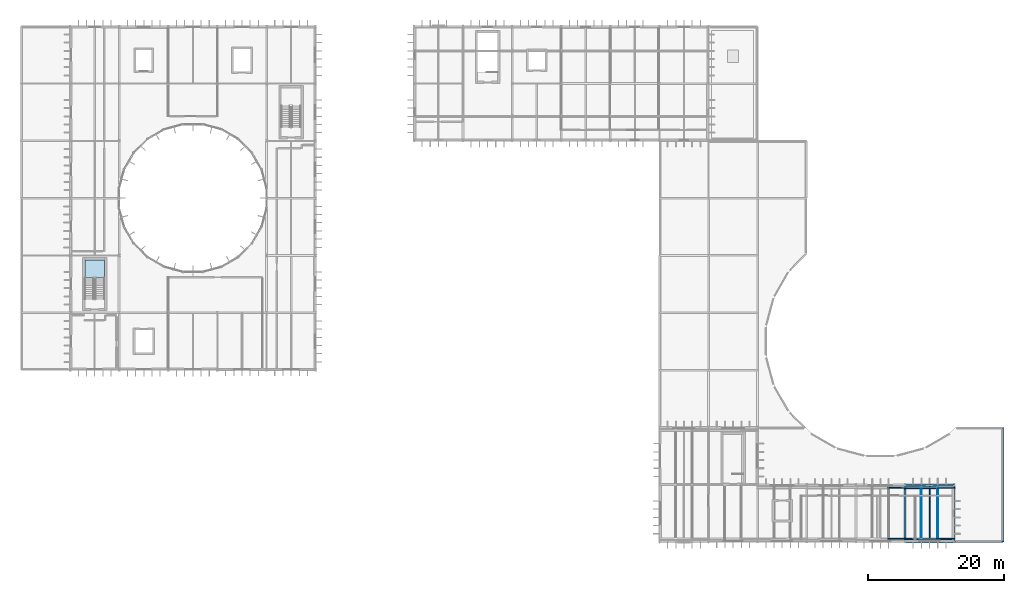
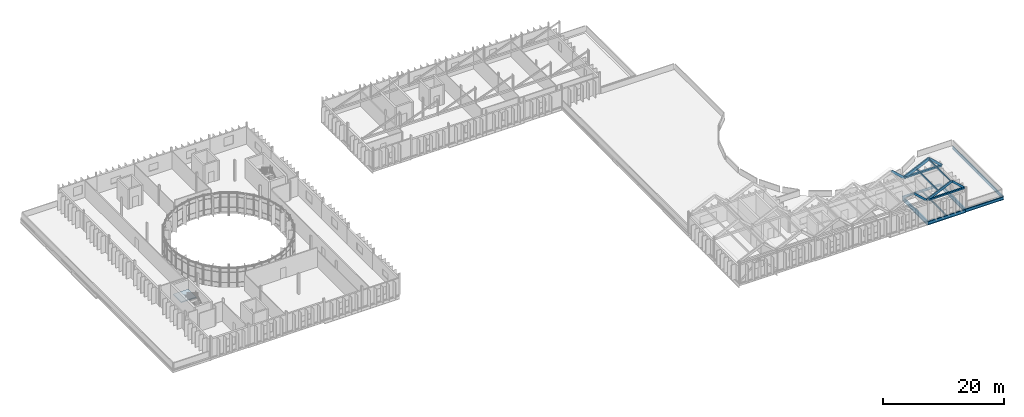
# One storey, part 27 of 52: 10 members, 8 beams, 1 slab, 1 element without a shape of its own.
"""IFC4 building model written with IfcOpenShell, lengths in metres."""

from ifc_helpers import new_model, si_unit, direction, frame, origin, origin_2d, place, context, subcontext, project, spatial, polyline, rectangle, hollow_rectangle, i_section, outline, extrude, material, layer, layer_set, material_profile, profile_set, type_object, element, aggregate, save


model = new_model("IFC4")

# Units and contexts
model_context = context("Model", 3, precision=1e-05, world=origin(), true_north=direction((0.0, 1.0)))
body_context = subcontext(model_context, "Body", "Model", "MODEL_VIEW")
ifc_project = project(units=[si_unit("LENGTHUNIT", "METRE"), si_unit("AREAUNIT", "SQUARE_METRE"), si_unit("VOLUMEUNIT", "CUBIC_METRE"), si_unit("PLANEANGLEUNIT", "RADIAN"), si_unit("MASSUNIT", "GRAM", prefix="KILO")], contexts=[model_context])

# Site, building, storey
site_placement = place(None, origin())
site = spatial("IfcSite", under=ifc_project, at=site_placement, CompositionType="ELEMENT")
building_placement = place(site_placement, origin())
building = spatial("IfcBuilding", under=site, at=building_placement, Name="Qelthora Terrace Specialist Clinic", CompositionType="ELEMENT")
storey_placement = place(building_placement, frame((0.0, 0.0, 17.39990234375)))
storey = spatial("IfcBuildingStorey", under=building, at=storey_placement, Name="L04", CompositionType="ELEMENT", Elevation=17.39990234375)

# Beams
ifc_material_1 = material(Name="Steel S355", Category="steel")
ifc_material_profile_1 = material_profile(ifc_material_1, i_section(OverallWidth=0.19091796875, OverallDepth=0.4599609375, WebThickness=0.010009765625, FlangeThickness=0.01611328125, FilletRadius=0.012939453125, at=origin_2d()), Name="W460X82")
ifc_profile_set_1 = profile_set([ifc_material_profile_1], Name="Steel S355")
beam_type_1 = type_object("IfcBeamType", Name="BM-W460X82", PredefinedType="BEAM", material=ifc_profile_set_1)
beam_1_placement = place(storey_placement, frame((129.60009765625, 42.0, -0.47998046875), z_axis=(1.0, 0.0, 0.0), x_axis=(0.0, 1.0, 0.0)))
element("IfcBeam", 1, at=beam_1_placement, inside=storey, type_object=beam_type_1, Name="Girder BMX-L04-1142", PredefinedType="BEAM", context=body_context, shape_type="SweptSolid", body=[
    extrude(i_section(OverallWidth=0.19091796875, OverallDepth=0.4599609375, WebThickness=0.010009765625, FlangeThickness=0.01611328125, FilletRadius=0.012939453125, at=origin_2d()), origin(), (0.0, 0.0, 1.0), 7.199951171875),
])
ifc_material_profile_2 = material_profile(ifc_material_1, i_section(OverallWidth=0.2119140625, OverallDepth=0.5439453125, WebThickness=0.01318359375, FlangeThickness=0.021240234375, FilletRadius=0.013916015625, at=origin_2d()), Name="W530X123")
ifc_profile_set_2 = profile_set([ifc_material_profile_2], Name="Steel S355")
beam_type_2 = type_object("IfcBeamType", Name="BM-W530X123", PredefinedType="BEAM", material=ifc_profile_set_2)
beam_2_placement = place(storey_placement, frame((144.0, 42.0, -0.52197265625), z_axis=(0.0, 1.0, 0.0), x_axis=(-1.0, 0.0, 0.0)))
element("IfcBeam", 2, at=beam_2_placement, inside=storey, type_object=beam_type_2, Name="Girder BMY-L04-1285", PredefinedType="BEAM", context=body_context, shape_type="SweptSolid", body=[
    extrude(i_section(OverallWidth=0.2119140625, OverallDepth=0.5439453125, WebThickness=0.01318359375, FlangeThickness=0.021240234375, FilletRadius=0.013916015625, at=origin_2d()), origin(), (0.0, 0.0, 1.0), 8.39990234375),
])
ifc_material_profile_3 = material_profile(ifc_material_1, i_section(OverallWidth=0.22998046875, OverallDepth=0.616943359375, WebThickness=0.01318359375, FlangeThickness=0.022216796875, FilletRadius=0.01611328125, at=origin_2d()), Name="W610X140")
ifc_profile_set_3 = profile_set([ifc_material_profile_3], Name="Steel S355")
beam_type_3 = type_object("IfcBeamType", Name="BM-W610X140", PredefinedType="BEAM", material=ifc_profile_set_3)
beam_3_placement = place(storey_placement, frame((136.800048828125, 33.60009765625, -0.558349609375), z_axis=(1.0, 0.0, 0.0), x_axis=(0.0, 1.0, 0.0)))
element("IfcBeam", 3, at=beam_3_placement, inside=storey, type_object=beam_type_3, Name="Girder BMX-L04-1137", PredefinedType="BEAM", context=body_context, shape_type="SweptSolid", body=[
    extrude(i_section(OverallWidth=0.22998046875, OverallDepth=0.616943359375, WebThickness=0.01318359375, FlangeThickness=0.022216796875, FilletRadius=0.01611328125, at=origin_2d()), origin(), (0.0, 0.0, 1.0), 7.199951171875),
])
beam_4_placement = place(storey_placement, frame((144.0, 33.60009765625, -0.558349609375), z_axis=(0.0, 1.0, 0.0), x_axis=(-1.0, 0.0, 0.0)))
element("IfcBeam", 4, at=beam_4_placement, inside=storey, type_object=beam_type_3, Name="Girder BMY-L04-1284", PredefinedType="BEAM", context=body_context, shape_type="SweptSolid", body=[
    extrude(i_section(OverallWidth=0.22998046875, OverallDepth=0.616943359375, WebThickness=0.01318359375, FlangeThickness=0.022216796875, FilletRadius=0.01611328125, at=origin_2d()), origin(), (0.0, 0.0, 1.0), 8.39990234375),
])
ifc_material_profile_4 = material_profile(ifc_material_1, i_section(OverallWidth=0.25390625, OverallDepth=0.68798828125, WebThickness=0.01318359375, FlangeThickness=0.02099609375, FilletRadius=0.01806640625, at=origin_2d()), Name="W690X152")
ifc_profile_set_4 = profile_set([ifc_material_profile_4], Name="Steel S355")
beam_type_4 = type_object("IfcBeamType", Name="BM-W690X152", PredefinedType="BEAM", material=ifc_profile_set_4)
beam_5_placement = place(storey_placement, frame((129.60009765625, 33.60009765625, -0.593994140625), z_axis=(1.0, 0.0, 0.0), x_axis=(0.0, 1.0, 0.0)))
element("IfcBeam", 5, at=beam_5_placement, inside=storey, type_object=beam_type_4, Name="Girder BMX-L04-1136", PredefinedType="BEAM", context=body_context, shape_type="SweptSolid", body=[
    extrude(i_section(OverallWidth=0.25390625, OverallDepth=0.68798828125, WebThickness=0.01318359375, FlangeThickness=0.02099609375, FilletRadius=0.01806640625, at=origin_2d()), origin(), (0.0, 0.0, 1.0), 7.199951171875),
])
ifc_material_profile_5 = material_profile(ifc_material_1, i_section(OverallWidth=0.256103515625, OverallDepth=0.693115234375, WebThickness=0.014404296875, FlangeThickness=0.023681640625, FilletRadius=0.01806640625, at=origin_2d()), Name="W690X170")
ifc_profile_set_5 = profile_set([ifc_material_profile_5], Name="Steel S355")
beam_type_5 = type_object("IfcBeamType", Name="BM-W690X170", PredefinedType="BEAM", material=ifc_profile_set_5)
beam_6_placement = place(storey_placement, frame((136.800048828125, 33.60009765625, -0.596435546875), z_axis=(0.0, 1.0, 0.0), x_axis=(-1.0, 0.0, 0.0)))
element("IfcBeam", 6, at=beam_6_placement, inside=storey, type_object=beam_type_5, Name="Girder BMY-L04-1283", PredefinedType="BEAM", context=body_context, shape_type="SweptSolid", body=[
    extrude(i_section(OverallWidth=0.256103515625, OverallDepth=0.693115234375, WebThickness=0.014404296875, FlangeThickness=0.023681640625, FilletRadius=0.01806640625, at=origin_2d()), origin(), (0.0, 0.0, 1.0), 8.39990234375),
])
ifc_material_profile_6 = material_profile(ifc_material_1, i_section(OverallWidth=0.26806640625, OverallDepth=0.77001953125, WebThickness=0.015625, FlangeThickness=0.025390625, FilletRadius=0.01904296875, at=origin_2d()), Name="W760X196")
ifc_profile_set_6 = profile_set([ifc_material_profile_6], Name="Steel S355")
beam_type_6 = type_object("IfcBeamType", Name="BM-W760X196", PredefinedType="BEAM", material=ifc_profile_set_6)
beam_7_placement = place(storey_placement, frame((129.60009765625, 33.60009765625, -0.635009765625), z_axis=(0.0, 1.0, 0.0), x_axis=(-1.0, 0.0, 0.0)))
element("IfcBeam", 7, at=beam_7_placement, inside=storey, type_object=beam_type_6, Name="Girder BMY-L04-1282", PredefinedType="BEAM", context=body_context, shape_type="SweptSolid", body=[
    extrude(i_section(OverallWidth=0.26806640625, OverallDepth=0.77001953125, WebThickness=0.015625, FlangeThickness=0.025390625, FilletRadius=0.01904296875, at=origin_2d()), origin(), (0.0, 0.0, 1.0), 8.39990234375),
])
ifc_material_profile_7 = material_profile(ifc_material_1, i_section(OverallWidth=0.14599609375, OverallDepth=0.258056640625, WebThickness=0.006103515625, FlangeThickness=0.009033203125, FilletRadius=0.009033203125, at=origin_2d()), Name="W250X33")
ifc_profile_set_7 = profile_set([ifc_material_profile_7], Name="Steel S355")
beam_type_7 = type_object("IfcBeamType", Name="JST-W250X33", PredefinedType="JOIST", material=ifc_profile_set_7)
beam_8_placement = place(storey_placement, frame((133.199951171875, 33.72705078125, -0.37890625), z_axis=(0.0, 1.0, 0.0), x_axis=(-1.0, 0.0, 0.0)))
element("IfcBeam", 8, at=beam_8_placement, inside=storey, type_object=beam_type_7, Name="Composite floor joist JST-L04-0288", PredefinedType="JOIST", context=body_context, shape_type="SweptSolid", body=[
    extrude(i_section(OverallWidth=0.14599609375, OverallDepth=0.258056640625, WebThickness=0.006103515625, FlangeThickness=0.009033203125, FilletRadius=0.009033203125, at=origin_2d()), origin(), (0.0, 0.0, 1.0), 8.177490234375),
])

# Members
ifc_material_profile_8 = material_profile(ifc_material_1, hollow_rectangle(XDim=0.300048828125, YDim=0.300048828125, WallThickness=0.011962890625, at=origin_2d()), Name="HSS300X300X12")
ifc_profile_set_8 = profile_set([ifc_material_profile_8], Name="Steel S355")
member_type_1 = type_object("IfcMemberType", Name="MEM-CHORD-HSS300", PredefinedType="CHORD", material=ifc_profile_set_8)
for number, where, z_axis, x_axis, name in (
    (9, (129.60009765625, 34.050048828125, 3.75), (1.0, 0.0, 0.0), (0.0, 1.0, 0.0), "Gable steel bottom tie chord V4G-013"),
    (10, (129.60009765625, 41.550048828125, 3.75), (1.0, 0.0, 0.0), (0.0, 1.0, 0.0), "Gable steel bottom tie chord V4G-014"),
):
    element("IfcMember", number, at=place(storey_placement, frame(where, z_axis=z_axis, x_axis=x_axis)), inside=storey, type_object=member_type_1, Name=name, PredefinedType="CHORD", context=body_context, shape_type="SweptSolid", body=[
        extrude(hollow_rectangle(XDim=0.300048828125, YDim=0.300048828125, WallThickness=0.011962890625, at=origin_2d()), origin(), (0.0, 0.0, 1.0), 7.199951171875),
    ])
ifc_material_2 = material(Name="Glulam timber GL28h", Category="wood")
ifc_material_profile_9 = material_profile(ifc_material_2, rectangle(XDim=0.139892578125, YDim=0.280029296875, at=origin_2d()), Name="GL140X280")
ifc_profile_set_9 = profile_set([ifc_material_profile_9], Name="Glulam timber GL28h")
member_type_2 = type_object("IfcMemberType", Name="MEM-PURLIN-GL280", PredefinedType="PURLIN", material=ifc_profile_set_9)
for number, where, z_axis, x_axis, name in (
    (11, (134.39990234375, 34.050048828125, 5.72998046875), (0.0, 1.0, 0.0), (-1.0, 0.0, 0.0), "Glulam roof purlin GPRL-041"),
    (12, (132.0, 34.050048828125, 4.630126953125), (0.0, 1.0, 0.0), (-1.0, 0.0, 0.0), "Glulam roof purlin GPRL-042"),
):
    element("IfcMember", number, at=place(storey_placement, frame(where, z_axis=z_axis, x_axis=x_axis)), inside=storey, type_object=member_type_2, Name=name, PredefinedType="PURLIN", context=body_context, shape_type="SweptSolid", body=[
        extrude(rectangle(XDim=0.139892578125, YDim=0.280029296875, at=origin_2d()), origin(), (0.0, 0.0, 1.0), 7.5),
    ])
ifc_material_profile_10 = material_profile(ifc_material_2, rectangle(XDim=0.159912109375, YDim=0.360107421875, at=origin_2d()), Name="GL160X360")
ifc_profile_set_10 = profile_set([ifc_material_profile_10], Name="Glulam timber GL28h")
member_type_3 = type_object("IfcMemberType", Name="MEM-RAFTER-GL360", PredefinedType="RAFTER", material=ifc_profile_set_10)
for number, where, z_axis, x_axis, name in (
    (13, (127.199951171875, 34.050048828125, 5.9501953125), (0.73714480279, 0.0, -0.675734814642), (0.0, 1.0, 0.0), "Glulam gable rafter V4G-011E"),
    (14, (134.39990234375, 34.050048828125, 5.9501953125), (0.73714480279, 0.0, -0.675734814642), (0.0, 1.0, 0.0), "Glulam gable rafter V4G-013E"),
):
    element("IfcMember", number, at=place(storey_placement, frame(where, z_axis=z_axis, x_axis=x_axis)), inside=storey, type_object=member_type_3, Name=name, PredefinedType="RAFTER", context=body_context, shape_type="SweptSolid", body=[
        extrude(rectangle(XDim=0.159912109375, YDim=0.360107421875, at=origin_2d()), origin(), (0.0, 0.0, 1.0), 3.256103515625),
    ])
ifc_material_profile_11 = material_profile(ifc_material_2, rectangle(XDim=0.179931640625, YDim=0.419921875, at=origin_2d()), Name="GL180X420")
ifc_profile_set_11 = profile_set([ifc_material_profile_11], Name="Glulam timber GL28h")
member_type_4 = type_object("IfcMemberType", Name="MEM-RAFTER-GL420", PredefinedType="RAFTER", material=ifc_profile_set_11)
for number, where, z_axis, x_axis, name in (
    (15, (127.199951171875, 41.550048828125, 5.9501953125), (0.73714480279, 0.0, -0.675734814642), (0.0, 1.0, 0.0), "Glulam gable rafter V4G-012E"),
    (16, (134.39990234375, 41.550048828125, 5.9501953125), (0.73714480279, 0.0, -0.675734814642), (0.0, 1.0, 0.0), "Glulam gable rafter V4G-014E"),
):
    element("IfcMember", number, at=place(storey_placement, frame(where, z_axis=z_axis, x_axis=x_axis)), inside=storey, type_object=member_type_4, Name=name, PredefinedType="RAFTER", context=body_context, shape_type="SweptSolid", body=[
        extrude(rectangle(XDim=0.179931640625, YDim=0.419921875, at=origin_2d()), origin(), (0.0, 0.0, 1.0), 3.256103515625),
    ])
ifc_material_profile_12 = material_profile(ifc_material_2, rectangle(XDim=0.199951171875, YDim=0.47998046875, at=origin_2d()), Name="GL200X480")
ifc_profile_set_12 = profile_set([ifc_material_profile_12], Name="Glulam timber GL28h")
member_type_5 = type_object("IfcMemberType", Name="MEM-RAFTER-GL480", PredefinedType="RAFTER", material=ifc_profile_set_12)
member_1_placement = place(storey_placement, frame((129.60009765625, 34.050048828125, 3.75), z_axis=(0.909044389395, 0.0, 0.416699289788), x_axis=(0.0, 1.0, 0.0)))
element("IfcMember", 17, at=member_1_placement, inside=storey, type_object=member_type_5, Name="Glulam gable rafter V4G-013W", PredefinedType="RAFTER", context=body_context, shape_type="SweptSolid", body=[
    extrude(rectangle(XDim=0.199951171875, YDim=0.47998046875, at=origin_2d()), origin(), (0.0, 0.0, 1.0), 5.280029296875),
])
ifc_material_profile_13 = material_profile(ifc_material_2, rectangle(XDim=0.239990234375, YDim=0.56005859375, at=origin_2d()), Name="GL240X560")
ifc_profile_set_13 = profile_set([ifc_material_profile_13], Name="Glulam timber GL28h")
member_type_6 = type_object("IfcMemberType", Name="MEM-RAFTER-GL560", PredefinedType="RAFTER", material=ifc_profile_set_13)
member_2_placement = place(storey_placement, frame((129.60009765625, 41.550048828125, 3.75), z_axis=(0.909044389395, 0.0, 0.416699289788), x_axis=(0.0, 1.0, 0.0)))
element("IfcMember", 18, at=member_2_placement, inside=storey, type_object=member_type_6, Name="Glulam gable rafter V4G-014W", PredefinedType="RAFTER", context=body_context, shape_type="SweptSolid", body=[
    extrude(rectangle(XDim=0.239990234375, YDim=0.56005859375, at=origin_2d()), origin(), (0.0, 0.0, 1.0), 5.280029296875),
])

# Stair, slab
ifc_material_3 = material(Name="Concrete C30/37", Category="concrete")
stair_type = type_object("IfcStairType", Name="STR-175-280", PredefinedType="HALF_TURN_STAIR", material=ifc_material_3)
stair_placement = place(storey_placement, origin())
stair = element("IfcStair", 19, at=stair_placement, inside=storey, type_object=stair_type, Name="L04 Enclosed Exit Stair ST-01", PredefinedType="HALF_TURN_STAIR")
ifc_layer = layer(ifc_material_3, 0.199951171875)
ifc_layer_set = layer_set([ifc_layer], Name="Concrete C30/37")
slab_type = type_object("IfcSlabType", Name="SLB-LAND-200-C30", PredefinedType="LANDING", material=ifc_layer_set)
slab_placement = place(storey_placement, frame((0.0, 0.0, 1.900146484375)))
slab = element("IfcSlab", 20, at=slab_placement, type_object=slab_type, Name="ST-01 landing 1", PredefinedType="LANDING", context=body_context, shape_type="SweptSolid", body=[
    extrude(outline(polyline([(12.25, 72.280029296875), (12.25, 74.949951171875), (9.35009765625, 74.949951171875), (9.35009765625, 72.280029296875), (12.25, 72.280029296875)])), origin(), (0.0, 0.0, 1.0), 0.199951171875),
])
aggregate(stair, [slab])

save(model, "model.ifc")
